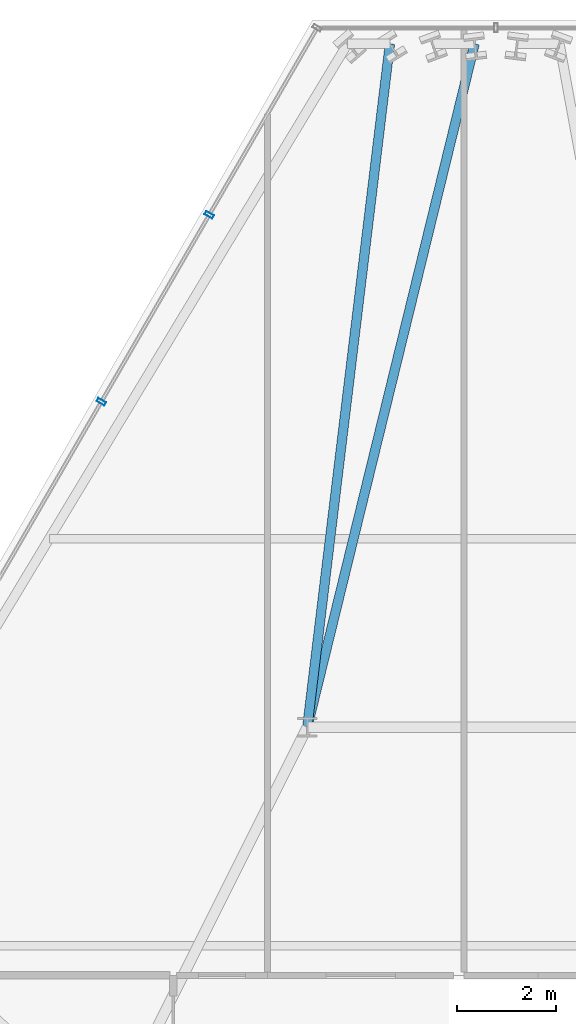
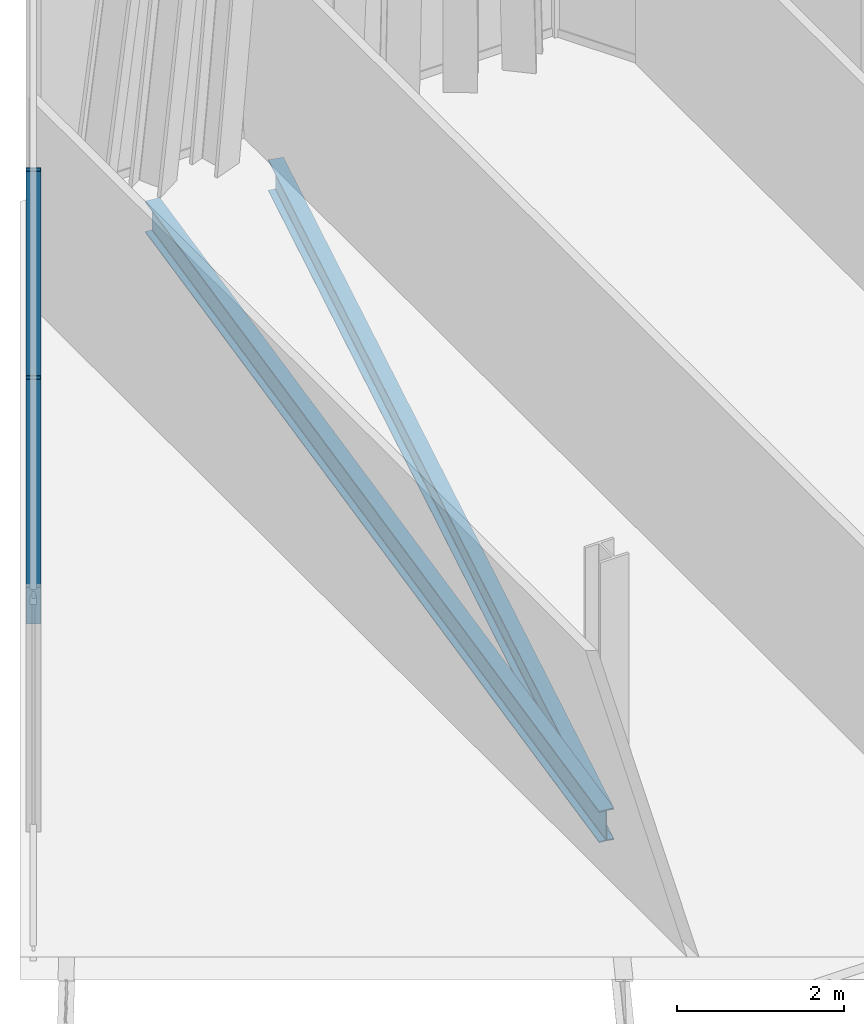
# One storey, part 20 of 29: 2 beams, 2 members, 1 element without a shape of its own.
"""IFC4 building model written with IfcOpenShell, lengths in metres."""

from ifc_helpers import new_model, si_unit, direction, frame, origin, origin_2d, place, context, subcontext, project, spatial, hollow_rectangle, i_section, extrude, material, layer, layer_set, material_profile, profile_set, type_object, element, aggregate, save


model = new_model("IFC4")

# Units and contexts
model_context = context("Model", 3, precision=1e-05, world=origin(), true_north=direction((0.0, 1.0)))
body_context = subcontext(model_context, "Body", "Model", "MODEL_VIEW")
ifc_project = project(units=[si_unit("LENGTHUNIT", "METRE"), si_unit("AREAUNIT", "SQUARE_METRE"), si_unit("VOLUMEUNIT", "CUBIC_METRE"), si_unit("PLANEANGLEUNIT", "RADIAN"), si_unit("MASSUNIT", "GRAM", prefix="KILO")], contexts=[model_context])

# Site, building, storey
site_placement = place(None, origin())
site = spatial("IfcSite", under=ifc_project, at=site_placement, CompositionType="ELEMENT")
building_placement = place(site_placement, origin())
building = spatial("IfcBuilding", under=site, at=building_placement, Name="Ndaravel Arena Tower", CompositionType="ELEMENT")
storey_placement = place(building_placement, frame((0.0, 0.0, 237.0)))
storey = spatial("IfcBuildingStorey", under=building, at=storey_placement, Name="L57", CompositionType="ELEMENT", Elevation=237.0)

# Beams
ifc_material_1 = material(Name="Steel S355", Category="steel")
ifc_material_profile_1 = material_profile(ifc_material_1, i_section(OverallWidth=0.19140625, OverallDepth=0.4599609375, WebThickness=0.010009765625, FlangeThickness=0.01611328125, FilletRadius=0.01025390625, at=origin_2d()), Name="UB 457x191x82")
ifc_profile_set_1 = profile_set([ifc_material_profile_1], Name="Steel S355")
beam_type = type_object("IfcBeamType", Name="BM-GIRD-UB457", PredefinedType="BEAM", material=ifc_profile_set_1)
beam_1_placement = place(storey_placement, frame((41.572998046875, 44.968994140625, -0.449951171875), z_axis=(-0.237937697562, -0.971280418869, 0.0), x_axis=(0.971280418869, -0.237937697562, 0.0)))
element("IfcBeam", 1, at=beam_1_placement, inside=storey, type_object=beam_type, Name="L57 Radial Floor Girder FG-15", PredefinedType="BEAM", context=body_context, shape_type="SweptSolid", body=[
    extrude(i_section(OverallWidth=0.19140625, OverallDepth=0.4599609375, WebThickness=0.010009765625, FlangeThickness=0.01611328125, FilletRadius=0.01025390625, at=origin_2d()), origin(), (0.0, 0.0, 1.0), 14.17626953125),
])
beam_2_placement = place(storey_placement, frame((39.865478515625, 44.968994140625, -0.449951171875), z_axis=(-0.120086390048, -0.992763445603, 0.0), x_axis=(0.992763445603, -0.120086390048, 0.0)))
element("IfcBeam", 2, at=beam_2_placement, inside=storey, type_object=beam_type, Name="L57 Radial Floor Girder FG-17", PredefinedType="BEAM", context=body_context, shape_type="SweptSolid", body=[
    extrude(i_section(OverallWidth=0.19140625, OverallDepth=0.4599609375, WebThickness=0.010009765625, FlangeThickness=0.01611328125, FilletRadius=0.01025390625, at=origin_2d()), origin(), (0.0, 0.0, 1.0), 13.869384765625),
])

# Curtain wall, members
ifc_material_2 = material(Name="Aluminium", Category="aluminium")
ifc_layer = layer(ifc_material_2, 0.179931640625)
ifc_layer_set = layer_set([ifc_layer], Name="Aluminium")
curtain_wall_type = type_object("IfcCurtainWallType", Name="CW-SYS-03", PredefinedType="NOTDEFINED", material=ifc_layer_set)
curtain_wall_placement = place(storey_placement, origin())
curtain_wall = element("IfcCurtainWall", 3, at=curtain_wall_placement, inside=storey, type_object=curtain_wall_type, Name="L57 Faceted Crystal Curtain Wall CW-L57-E05", PredefinedType="NOTDEFINED")
ifc_material_3 = material(Name="Aluminium", Category="aluminium")
ifc_material_profile_2 = material_profile(ifc_material_3, hollow_rectangle(XDim=0.074951171875, YDim=0.179931640625, WallThickness=0.00390625, at=origin_2d()), Name="CW MULLION 75x180x4")
ifc_profile_set_2 = profile_set([ifc_material_profile_2], Name="Aluminium")
member_type = type_object("IfcMemberType", Name="MEM-CW-MUL180", PredefinedType="MULLION", material=ifc_profile_set_2)
member_1_placement = place(storey_placement, frame((36.22607421875, 41.52294921875, 0.0), z_axis=(0.0, 0.0, 1.0), x_axis=(-0.5, -0.866025403784, 0.0)))
member_1 = element("IfcMember", 4, at=member_1_placement, type_object=member_type, Name="CW-L57-E05 Mullion 01", PredefinedType="MULLION", context=body_context, shape_type="SweptSolid", body=[
    extrude(hollow_rectangle(XDim=0.074951171875, YDim=0.179931640625, WallThickness=0.00390625, at=origin_2d()), origin(), (0.0, 0.0, 1.0), 3.580078125),
])
member_2_placement = place(storey_placement, frame((34.0517578125, 37.7568359375, 0.0), z_axis=(0.0, 0.0, 1.0), x_axis=(-0.5, -0.866025403784, 0.0)))
member_2 = element("IfcMember", 5, at=member_2_placement, type_object=member_type, Name="CW-L57-E05 Mullion 02", PredefinedType="MULLION", context=body_context, shape_type="SweptSolid", body=[
    extrude(hollow_rectangle(XDim=0.074951171875, YDim=0.179931640625, WallThickness=0.00390625, at=origin_2d()), origin(), (0.0, 0.0, 1.0), 3.580078125),
])
aggregate(curtain_wall, [member_1, member_2])

save(model, "model.ifc")
